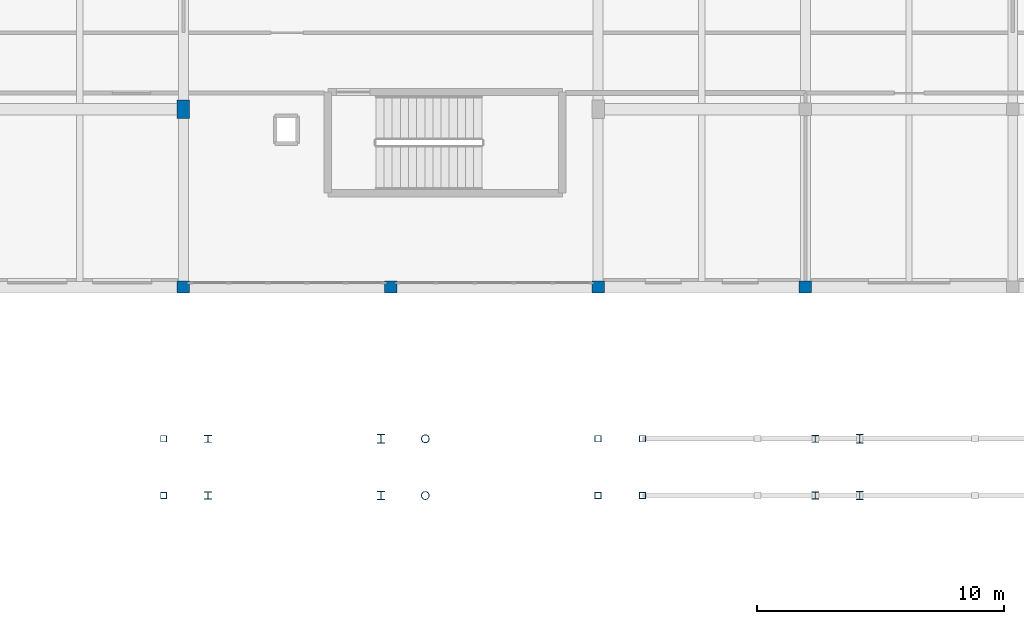
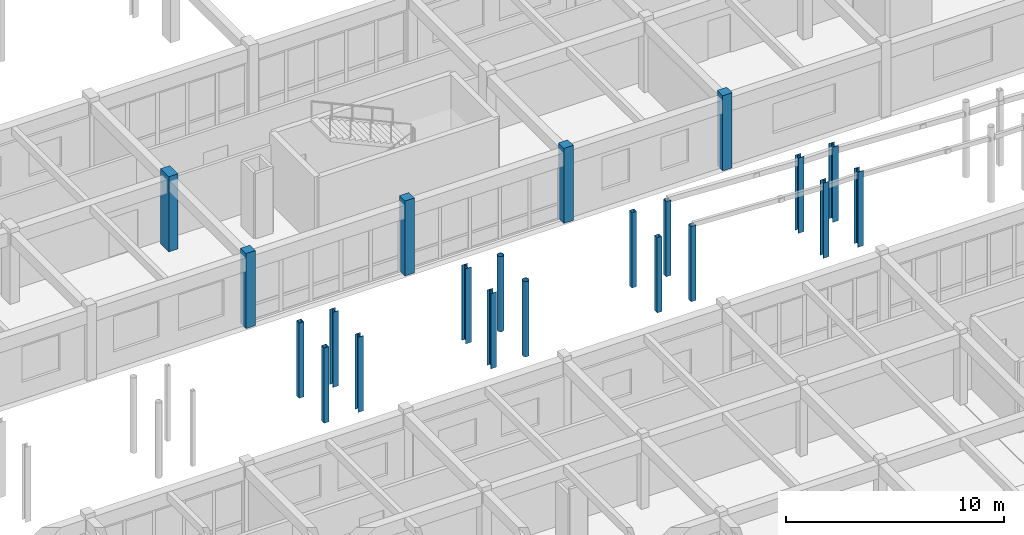
# One storey, part 17 of 90: 21 columns.
"""IFC4 building model written with IfcOpenShell, lengths in metres."""

from ifc_helpers import new_model, si_unit, direction, frame, origin, origin_2d, place, context, subcontext, project, spatial, rectangle, hollow_rectangle, hollow_circle, i_section, extrude, material, material_profile, profile_set, type_object, element, save


model = new_model("IFC4")

# Units and contexts
model_context = context("Model", 3, precision=1e-05, world=origin(), true_north=direction((0.0, 1.0)))
body_context = subcontext(model_context, "Body", "Model", "MODEL_VIEW")
ifc_project = project(units=[si_unit("LENGTHUNIT", "METRE"), si_unit("AREAUNIT", "SQUARE_METRE"), si_unit("VOLUMEUNIT", "CUBIC_METRE"), si_unit("PLANEANGLEUNIT", "RADIAN"), si_unit("MASSUNIT", "GRAM", prefix="KILO")], contexts=[model_context])

# Site, building, storey
site_placement = place(None, origin())
site = spatial("IfcSite", under=ifc_project, at=site_placement, CompositionType="ELEMENT")
building_placement = place(site_placement, origin())
building = spatial("IfcBuilding", under=site, at=building_placement, Name="Malvenik Polytechnic", CompositionType="ELEMENT")
storey_placement = place(building_placement, frame((0.0, 0.0, 9.300048828125)))
storey = spatial("IfcBuildingStorey", under=building, at=storey_placement, Name="L02", CompositionType="ELEMENT", Elevation=9.300048828125)

# Columns
ifc_material_1 = material(Name="Concrete C35/45", Category="concrete")
ifc_material_profile_1 = material_profile(ifc_material_1, rectangle(XDim=0.5, YDim=0.5, at=origin_2d()), Name="RC COL 500x500")
ifc_profile_set_1 = profile_set([ifc_material_profile_1], Name="Concrete C35/45")
column_type_1 = type_object("IfcColumnType", Name="STR-COL-C-08", PredefinedType="COLUMN", material=ifc_profile_set_1)
for number, where, z_axis, x_axis, name in (
    (1, (67.199951171875, 79.199951171875, 0.0), (0.0, 0.0, 1.0), (1.0, 0.0, 0.0), "Column C-08 L02 (67.2,79.2)"),
    (2, (75.60009765625, 79.199951171875, 0.0), (0.0, 0.0, 1.0), (1.0, 0.0, 0.0), "Column C-08 L02 (75.6,79.2)"),
    (3, (84.0, 79.199951171875, 0.0), (0.0, 0.0, 1.0), (1.0, 0.0, 0.0), "Column C-08 L02 (84.0,79.2)"),
    (4, (92.39990234375, 79.199951171875, 0.0), (0.0, 0.0, 1.0), (1.0, 0.0, 0.0), "Column C-08 L02 (92.4,79.2)"),
):
    element("IfcColumn", number, at=place(storey_placement, frame(where, z_axis=z_axis, x_axis=x_axis)), inside=storey, type_object=column_type_1, Name=name, PredefinedType="COLUMN", context=body_context, shape_type="SweptSolid", body=[
        extrude(rectangle(XDim=0.5, YDim=0.5, at=origin_2d()), origin(), (0.0, 0.0, 1.0), 4.199951171875),
    ])
ifc_material_profile_2 = material_profile(ifc_material_1, rectangle(XDim=0.5, YDim=0.75, at=origin_2d()), Name="RC COL 750x500")
ifc_profile_set_2 = profile_set([ifc_material_profile_2], Name="Concrete C35/45")
column_type_2 = type_object("IfcColumnType", Name="STR-COL-C-14", PredefinedType="COLUMN", material=ifc_profile_set_2)
column_placement = place(storey_placement, frame((67.199951171875, 86.39990234375, 0.0), z_axis=(0.0, 0.0, 1.0), x_axis=(1.0, 0.0, 0.0)))
element("IfcColumn", 5, at=column_placement, inside=storey, type_object=column_type_2, Name="Column C-14 L02 (67.2,86.4)", PredefinedType="COLUMN", context=body_context, shape_type="SweptSolid", body=[
    extrude(rectangle(XDim=0.5, YDim=0.75, at=origin_2d()), origin(), (0.0, 0.0, 1.0), 4.199951171875),
])
ifc_material_2 = material(Name="Steel S355J2H", Category="steel")
ifc_material_profile_3 = material_profile(ifc_material_2, hollow_rectangle(XDim=0.25, YDim=0.25, WallThickness=0.010009765625, at=origin_2d()), Name="SHS 250x250x10.0")
ifc_profile_set_3 = profile_set([ifc_material_profile_3], Name="Steel S355J2H")
column_type_3 = type_object("IfcColumnType", Name="STR-SCOL-SC-01", PredefinedType="COLUMN", material=ifc_profile_set_3)
for number, where, z_axis, x_axis, name in (
    (6, (85.800048828125, 70.75, 0.0), (0.0, 0.0, 1.0), (1.0, 0.0, 0.0), "Bridge-Ramp Support Column SC-01 L02"),
    (7, (85.800048828125, 73.050048828125, 0.0), (0.0, 0.0, 1.0), (1.0, 0.0, 0.0), "Bridge-Ramp Support Column SC-01 L02"),
    (8, (84.0, 70.75, 0.0), (0.0, 0.0, 1.0), (1.0, 0.0, 0.0), "Bridge-Ramp Support Column SC-01 L02"),
    (9, (84.0, 73.050048828125, 0.0), (0.0, 0.0, 1.0), (1.0, 0.0, 0.0), "Bridge-Ramp Support Column SC-01 L02"),
    (10, (66.39990234375, 70.75, 0.0), (0.0, 0.0, 1.0), (1.0, 0.0, 0.0), "Bridge-Ramp Support Column SC-01 L02"),
    (11, (66.39990234375, 73.050048828125, 0.0), (0.0, 0.0, 1.0), (1.0, 0.0, 0.0), "Bridge-Ramp Support Column SC-01 L02"),
):
    element("IfcColumn", number, at=place(storey_placement, frame(where, z_axis=z_axis, x_axis=x_axis)), inside=storey, type_object=column_type_3, Name=name, PredefinedType="COLUMN", context=body_context, shape_type="SweptSolid", body=[
        extrude(hollow_rectangle(XDim=0.25, YDim=0.25, WallThickness=0.010009765625, at=origin_2d()), origin(), (0.0, 0.0, 1.0), 4.199951171875),
    ])
ifc_material_3 = material(Name="Steel S355", Category="steel")
ifc_material_profile_4 = material_profile(ifc_material_3, i_section(OverallWidth=0.300048828125, OverallDepth=0.360107421875, WebThickness=0.012451171875, FlangeThickness=0.0224609375, FilletRadius=0.027099609375, at=origin_2d()), Name="HEB 360")
ifc_profile_set_4 = profile_set([ifc_material_profile_4], Name="Steel S355")
column_type_4 = type_object("IfcColumnType", Name="STR-SCOL-SC-03", PredefinedType="COLUMN", material=ifc_profile_set_4)
for number, where, z_axis, x_axis, name in (
    (12, (94.60009765625, 70.75, 0.0), (0.0, 0.0, 1.0), (1.0, 0.0, 0.0), "Bridge-Ramp Support Column SC-03 L02"),
    (13, (94.60009765625, 73.050048828125, 0.0), (0.0, 0.0, 1.0), (1.0, 0.0, 0.0), "Bridge-Ramp Support Column SC-03 L02"),
    (14, (75.199951171875, 70.75, 0.0), (0.0, 0.0, 1.0), (1.0, 0.0, 0.0), "Bridge-Ramp Support Column SC-03 L02"),
    (15, (75.199951171875, 73.050048828125, 0.0), (0.0, 0.0, 1.0), (1.0, 0.0, 0.0), "Bridge-Ramp Support Column SC-03 L02"),
):
    element("IfcColumn", number, at=place(storey_placement, frame(where, z_axis=z_axis, x_axis=x_axis)), inside=storey, type_object=column_type_4, Name=name, PredefinedType="COLUMN", context=body_context, shape_type="SweptSolid", body=[
        extrude(i_section(OverallWidth=0.300048828125, OverallDepth=0.360107421875, WebThickness=0.012451171875, FlangeThickness=0.0224609375, FilletRadius=0.027099609375, at=origin_2d()), origin(), (0.0, 0.0, 1.0), 4.199951171875),
    ])
ifc_material_profile_5 = material_profile(ifc_material_2, hollow_circle(Radius=0.161865234375, WallThickness=0.012451171875, at=origin_2d()), Name="CHS 323.9x12.5")
ifc_profile_set_5 = profile_set([ifc_material_profile_5], Name="Steel S355J2H")
column_type_5 = type_object("IfcColumnType", Name="STR-SCOL-SC-04", PredefinedType="COLUMN", material=ifc_profile_set_5)
for number, where, z_axis, x_axis, name in (
    (16, (77.0, 70.75, 0.0), (0.0, 0.0, 1.0), (1.0, 0.0, 0.0), "Bridge-Ramp Support Column SC-04 L02"),
    (17, (77.0, 73.050048828125, 0.0), (0.0, 0.0, 1.0), (1.0, 0.0, 0.0), "Bridge-Ramp Support Column SC-04 L02"),
):
    element("IfcColumn", number, at=place(storey_placement, frame(where, z_axis=z_axis, x_axis=x_axis)), inside=storey, type_object=column_type_5, Name=name, PredefinedType="COLUMN", context=body_context, shape_type="SweptSolid", body=[
        extrude(hollow_circle(Radius=0.161865234375, WallThickness=0.012451171875, at=origin_2d()), origin(), (0.0, 0.0, 1.0), 4.199951171875),
    ])
ifc_material_profile_6 = material_profile(ifc_material_3, i_section(OverallWidth=0.300048828125, OverallDepth=0.300048828125, WebThickness=0.010986328125, FlangeThickness=0.01904296875, FilletRadius=0.027099609375, at=origin_2d()), Name="HEB 300")
ifc_profile_set_6 = profile_set([ifc_material_profile_6], Name="Steel S355")
column_type_6 = type_object("IfcColumnType", Name="STR-SCOL-SC-05", PredefinedType="COLUMN", material=ifc_profile_set_6)
for number, where, z_axis, x_axis, name in (
    (18, (92.800048828125, 70.75, 0.0), (0.0, 0.0, 1.0), (1.0, 0.0, 0.0), "Bridge-Ramp Support Column SC-05 L02"),
    (19, (92.800048828125, 73.050048828125, 0.0), (0.0, 0.0, 1.0), (1.0, 0.0, 0.0), "Bridge-Ramp Support Column SC-05 L02"),
    (20, (68.199951171875, 70.75, 0.0), (0.0, 0.0, 1.0), (1.0, 0.0, 0.0), "Bridge-Ramp Support Column SC-05 L02"),
    (21, (68.199951171875, 73.050048828125, 0.0), (0.0, 0.0, 1.0), (1.0, 0.0, 0.0), "Bridge-Ramp Support Column SC-05 L02"),
):
    element("IfcColumn", number, at=place(storey_placement, frame(where, z_axis=z_axis, x_axis=x_axis)), inside=storey, type_object=column_type_6, Name=name, PredefinedType="COLUMN", context=body_context, shape_type="SweptSolid", body=[
        extrude(i_section(OverallWidth=0.300048828125, OverallDepth=0.300048828125, WebThickness=0.010986328125, FlangeThickness=0.01904296875, FilletRadius=0.027099609375, at=origin_2d()), origin(), (0.0, 0.0, 1.0), 4.199951171875),
    ])

save(model, "model.ifc")
